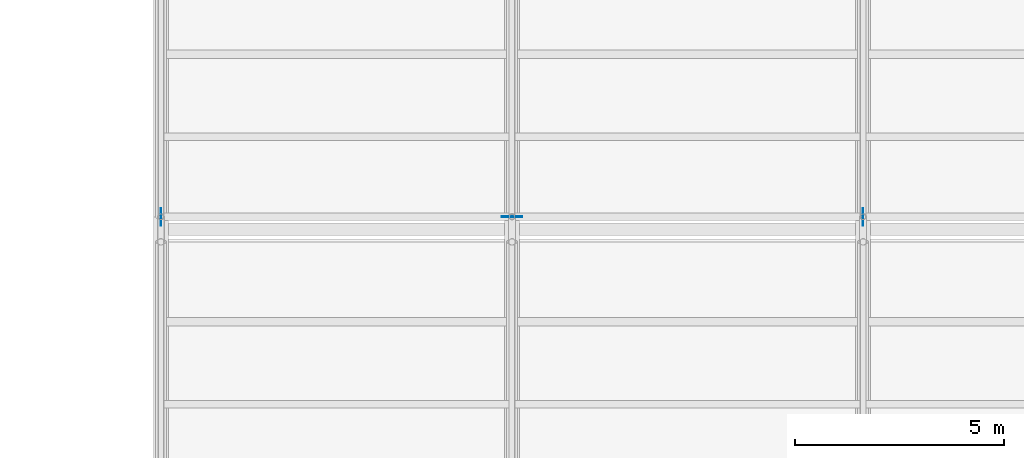
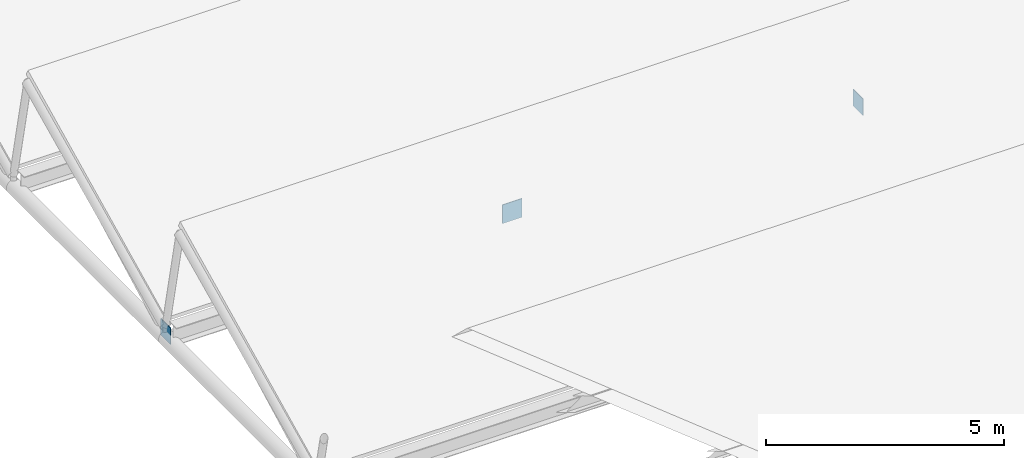
# One storey, part 157 of 194: 3 plates.
"""IFC4 building model written with IfcOpenShell, lengths in metres."""

from ifc_helpers import new_model, si_unit, direction, frame, origin, origin_2d, place, context, subcontext, project, spatial, rectangle, extrude, material, layer, layer_set, type_object, element, save


model = new_model("IFC4")

# Units and contexts
model_context = context("Model", 3, precision=1e-05, world=origin(), true_north=direction((0.0, 1.0)))
body_context = subcontext(model_context, "Body", "Model", "MODEL_VIEW")
ifc_project = project(units=[si_unit("LENGTHUNIT", "METRE"), si_unit("AREAUNIT", "SQUARE_METRE"), si_unit("VOLUMEUNIT", "CUBIC_METRE"), si_unit("PLANEANGLEUNIT", "RADIAN"), si_unit("MASSUNIT", "GRAM", prefix="KILO")], contexts=[model_context])

# Site, building, storey
site_placement = place(None, origin())
site = spatial("IfcSite", under=ifc_project, at=site_placement, CompositionType="ELEMENT")
building_placement = place(site_placement, origin())
building = spatial("IfcBuilding", under=site, at=building_placement, Name="Kazenagashi Tramway Depot", CompositionType="ELEMENT")
storey_placement = place(building_placement, frame((0.0, 0.0, 23.7)))
storey = spatial("IfcBuildingStorey", under=building, at=storey_placement, Name="ROOF", CompositionType="ELEMENT", Elevation=23.7)

# Plates
ifc_material = material(Name="Steel SN490B", Category="steel")
ifc_layer_1 = layer(ifc_material, 0.019)
ifc_layer_set_1 = layer_set([ifc_layer_1], Name="Steel SN490B")
plate_type_1 = type_object("IfcPlateType", Name="GP-02", PredefinedType="USERDEFINED", material=ifc_layer_set_1)
plate_placement = place(storey_placement, frame((53.2, 35.7, -8.84), z_axis=(0.0, 0.0, 1.0), x_axis=(1.0, 0.0, 0.0)))
element("IfcPlate", 1, at=plate_placement, inside=storey, type_object=plate_type_1, Name="Structural Node Plate GP-02 PLT-0114", ObjectType="GUSSET PLATE", PredefinedType="USERDEFINED", context=body_context, shape_type="SweptSolid", body=[
    extrude(rectangle(XDim=0.48, YDim=0.019, at=origin_2d()), origin(), (0.0, 0.0, 1.0), 0.48),
])
ifc_layer_2 = layer(ifc_material, 0.016)
ifc_layer_set_2 = layer_set([ifc_layer_2], Name="Steel SN490B")
plate_type_2 = type_object("IfcPlateType", Name="GP-03", PredefinedType="USERDEFINED", material=ifc_layer_set_2)
for number, where, z_axis, x_axis, name in (
    (2, (44.8, 35.7, -8.96), (0.0, 0.0, 1.0), (0.0, 1.0, 0.0), "Structural Node Plate GP-03 PLT-0077"),
    (3, (61.6, 35.7, -8.96), (0.0, 0.0, 1.0), (0.0, 1.0, 0.0), "Structural Node Plate GP-03 PLT-0079"),
):
    element("IfcPlate", number, at=place(storey_placement, frame(where, z_axis=z_axis, x_axis=x_axis)), inside=storey, type_object=plate_type_2, Name=name, ObjectType="GUSSET PLATE", PredefinedType="USERDEFINED", context=body_context, shape_type="SweptSolid", body=[
        extrude(rectangle(XDim=0.42, YDim=0.016, at=origin_2d()), origin(), (0.0, 0.0, 1.0), 0.42),
    ])

save(model, "model.ifc")
